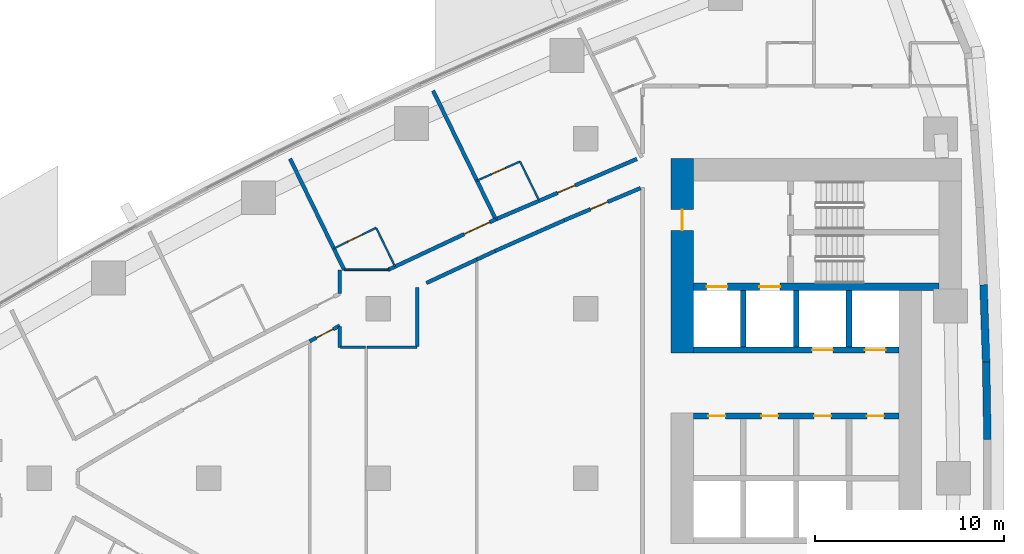
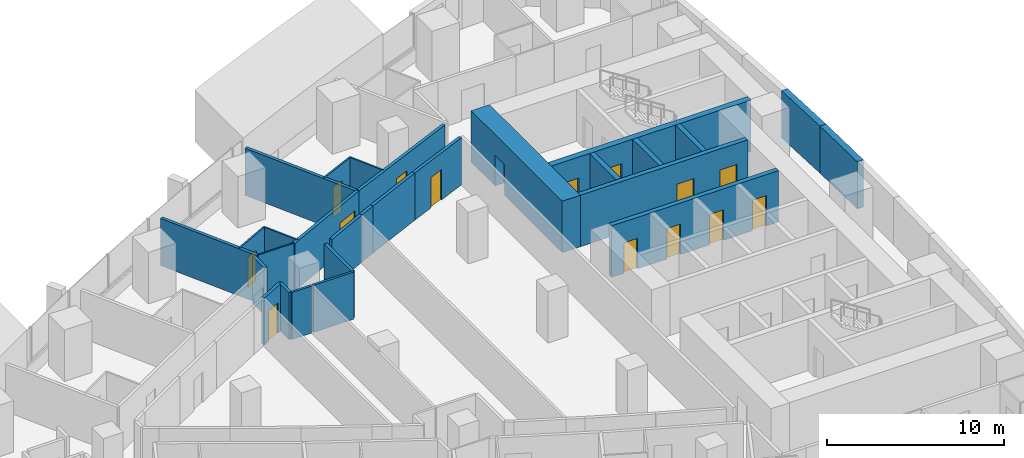
# One storey, part 12 of 19: 28 walls, 15 doors, 15 openings.
"""IFC4 building model written with IfcOpenShell, lengths in metres."""

from ifc_helpers import new_model, si_unit, direction, frame, frame_2d, origin, place, context, subcontext, project, spatial, polyline, rectangle, outline, extrude, material, layer, layer_set, type_object, element, fill, save


model = new_model("IFC4")

# Units and contexts
model_context = context("Model", 3, precision=1e-05, world=origin(), true_north=direction((0.0, 1.0)))
body_context = subcontext(model_context, "Body", "Model", "MODEL_VIEW")
ifc_project = project(units=[si_unit("LENGTHUNIT", "METRE"), si_unit("AREAUNIT", "SQUARE_METRE"), si_unit("VOLUMEUNIT", "CUBIC_METRE"), si_unit("PLANEANGLEUNIT", "RADIAN"), si_unit("MASSUNIT", "GRAM", prefix="KILO")], contexts=[model_context])

# Site, building, storey
site_placement = place(None, origin())
site = spatial("IfcSite", under=ifc_project, at=site_placement, CompositionType="ELEMENT")
building_placement = place(site_placement, origin())
building = spatial("IfcBuilding", under=site, at=building_placement, Name="Ostrand Prow Hotel Tower", CompositionType="ELEMENT")
storey_placement = place(building_placement, frame((0.0, 0.0, 50.25)))
storey = spatial("IfcBuildingStorey", under=building, at=storey_placement, Name="L10", CompositionType="ELEMENT", Elevation=50.25)

# Wall, opening, door
ifc_material_1 = material(Name="Concrete C80/95", Category="concrete")
ifc_layer_1 = layer(ifc_material_1, 1.199951171875)
ifc_layer_set_1 = layer_set([ifc_layer_1], Name="Concrete C80/95")
wall_type_1 = type_object("IfcWallType", Name="Core wall 1200 C80/95", PredefinedType="SHEAR", material=ifc_layer_set_1)
wall_1_placement = place(storey_placement, frame((50.10009765625, 6.64990234375, 0.0), z_axis=(0.0, 0.0, 1.0), x_axis=(0.0, 1.0, 0.0)))
wall_1 = element("IfcWall", 1, at=wall_1_placement, inside=storey, type_object=wall_type_1, Name="Core wall CW-W-N", PredefinedType="SHEAR", context=body_context, shape_type="SweptSolid", body=[
    extrude(rectangle(XDim=10.300048828125, YDim=1.199951171875, at=frame_2d((5.14990234375, 0.0))), origin(), (0.0, 0.0, 1.0), 3.550048828125),
])
opening_1_placement = place(wall_1_placement, frame((6.5, 0.0, 0.0)))
opening_1 = element("IfcOpeningElement", 2, at=opening_1_placement, cuts=wall_1, Name="Opening FD1", PredefinedType="OPENING", context=body_context, shape_type="SweptSolid", body=[
    extrude(rectangle(XDim=1.10009765625, YDim=2.10009765625, at=frame_2d((0.550048828125, 1.050048828125))), frame((0.0, 0.60986328125, 0.0), z_axis=(0.0, -1.0, 0.0), x_axis=(1.0, 0.0, 0.0)), (0.0, 0.0, 1.0), 1.219970703125),
])
ifc_material_2 = material(Name="Steel fire door", Category="steel")
door_type_1 = type_object("IfcDoorType", Name="Fire door 1100 EI120", OperationType="SINGLE_SWING_RIGHT", PredefinedType="DOOR", material=ifc_material_2)
door_1_placement = place(opening_1_placement, origin())
door_1 = element("IfcDoor", 3, at=door_1_placement, inside=storey, type_object=door_type_1, Name="FIRE DOOR", OperationType="SINGLE_SWING_RIGHT", OverallHeight=2.10009765625, OverallWidth=1.10009765625, PredefinedType="DOOR", context=body_context, shape_type="SweptSolid", body=[
    extrude(rectangle(XDim=1.10009765625, YDim=2.10009765625, at=frame_2d((0.550048828125, 1.050048828125))), frame((0.0, 0.02490234375, 0.0), z_axis=(0.0, -1.0, 0.0), x_axis=(1.0, 0.0, 0.0)), (0.0, 0.0, 1.0), 0.050048828125),
])
fill(opening_1, door_1)

# Wall, openings, doors
ifc_material_3 = material(Name="Concrete C80/95", Category="concrete")
ifc_layer_2 = layer(ifc_material_3, 0.300048828125)
ifc_layer_set_2 = layer_set([ifc_layer_2], Name="Concrete C80/95")
wall_type_2 = type_object("IfcWallType", Name="Core wall 300 C80/95", PredefinedType="SHEAR", material=ifc_layer_set_2)
wall_2_placement = place(storey_placement, frame((50.699951171875, 3.300048828125, 0.0), z_axis=(0.0, 0.0, 1.0), x_axis=(1.0, 0.0, 0.0)))
wall_2 = element("IfcWall", 4, at=wall_2_placement, inside=storey, type_object=wall_type_2, Name="Core wall PW-L1-N", PredefinedType="SHEAR", context=body_context, shape_type="SweptSolid", body=[
    extrude(rectangle(XDim=10.900146484375, YDim=0.300048828125, at=frame_2d((5.4501953125, 0.0))), origin(), (0.0, 0.0, 1.0), 3.550048828125),
])
opening_2_placement = place(wall_2_placement, frame((0.800048828125, 0.0, 0.0)))
opening_2 = element("IfcOpeningElement", 5, at=opening_2_placement, cuts=wall_2, Name="Opening FD2", PredefinedType="OPENING", context=body_context, shape_type="SweptSolid", body=[
    extrude(rectangle(XDim=0.89990234375, YDim=2.10009765625, at=frame_2d((0.449951171875, 1.050048828125))), frame((0.0, 0.159912109375, 0.0), z_axis=(0.0, -1.0, 0.0), x_axis=(1.0, 0.0, 0.0)), (0.0, 0.0, 1.0), 0.320068359375),
])
opening_3_placement = place(wall_2_placement, frame((3.60009765625, 0.0, 0.0)))
opening_3 = element("IfcOpeningElement", 6, at=opening_3_placement, cuts=wall_2, Name="Opening FD2", PredefinedType="OPENING", context=body_context, shape_type="SweptSolid", body=[
    extrude(rectangle(XDim=0.89990234375, YDim=2.10009765625, at=frame_2d((0.449951171875, 1.050048828125))), frame((0.0, 0.159912109375, 0.0), z_axis=(0.0, -1.0, 0.0), x_axis=(1.0, 0.0, 0.0)), (0.0, 0.0, 1.0), 0.320068359375),
])
opening_4_placement = place(wall_2_placement, frame((6.39990234375, 0.0, 0.0)))
opening_4 = element("IfcOpeningElement", 7, at=opening_4_placement, cuts=wall_2, Name="Opening FD2", PredefinedType="OPENING", context=body_context, shape_type="SweptSolid", body=[
    extrude(rectangle(XDim=0.89990234375, YDim=2.10009765625, at=frame_2d((0.449951171875, 1.050048828125))), frame((0.0, 0.159912109375, 0.0), z_axis=(0.0, -1.0, 0.0), x_axis=(1.0, 0.0, 0.0)), (0.0, 0.0, 1.0), 0.320068359375),
])
opening_5_placement = place(wall_2_placement, frame((9.199951171875, 0.0, 0.0)))
opening_5 = element("IfcOpeningElement", 8, at=opening_5_placement, cuts=wall_2, Name="Opening FD2", PredefinedType="OPENING", context=body_context, shape_type="SweptSolid", body=[
    extrude(rectangle(XDim=0.89990234375, YDim=2.10009765625, at=frame_2d((0.449951171875, 1.050048828125))), frame((0.0, 0.159912109375, 0.0), z_axis=(0.0, -1.0, 0.0), x_axis=(1.0, 0.0, 0.0)), (0.0, 0.0, 1.0), 0.320068359375),
])
ifc_material_4 = material(Name="Steel fire door", Category="steel")
door_type_2 = type_object("IfcDoorType", Name="Fire door 900 EI120", OperationType="SINGLE_SWING_LEFT", PredefinedType="DOOR", material=ifc_material_4)
door_2_placement = place(opening_2_placement, origin())
door_2 = element("IfcDoor", 9, at=door_2_placement, inside=storey, type_object=door_type_2, Name="DOOR", OperationType="SINGLE_SWING_LEFT", OverallHeight=2.10009765625, OverallWidth=0.89990234375, PredefinedType="DOOR", context=body_context, shape_type="SweptSolid", body=[
    extrude(rectangle(XDim=0.89990234375, YDim=2.10009765625, at=frame_2d((0.449951171875, 1.050048828125))), frame((0.0, 0.02490234375, 0.0), z_axis=(0.0, -1.0, 0.0), x_axis=(1.0, 0.0, 0.0)), (0.0, 0.0, 1.0), 0.050048828125),
])
fill(opening_2, door_2)
door_3_placement = place(opening_3_placement, origin())
door_3 = element("IfcDoor", 10, at=door_3_placement, inside=storey, type_object=door_type_2, Name="DOOR", OperationType="SINGLE_SWING_LEFT", OverallHeight=2.10009765625, OverallWidth=0.89990234375, PredefinedType="DOOR", context=body_context, shape_type="SweptSolid", body=[
    extrude(rectangle(XDim=0.89990234375, YDim=2.10009765625, at=frame_2d((0.449951171875, 1.050048828125))), frame((0.0, 0.02490234375, 0.0), z_axis=(0.0, -1.0, 0.0), x_axis=(1.0, 0.0, 0.0)), (0.0, 0.0, 1.0), 0.050048828125),
])
fill(opening_3, door_3)
door_4_placement = place(opening_4_placement, origin())
door_4 = element("IfcDoor", 11, at=door_4_placement, inside=storey, type_object=door_type_2, Name="DOOR", OperationType="SINGLE_SWING_LEFT", OverallHeight=2.10009765625, OverallWidth=0.89990234375, PredefinedType="DOOR", context=body_context, shape_type="SweptSolid", body=[
    extrude(rectangle(XDim=0.89990234375, YDim=2.10009765625, at=frame_2d((0.449951171875, 1.050048828125))), frame((0.0, 0.02490234375, 0.0), z_axis=(0.0, -1.0, 0.0), x_axis=(1.0, 0.0, 0.0)), (0.0, 0.0, 1.0), 0.050048828125),
])
fill(opening_4, door_4)
door_5_placement = place(opening_5_placement, origin())
door_5 = element("IfcDoor", 12, at=door_5_placement, inside=storey, type_object=door_type_2, Name="DOOR", OperationType="SINGLE_SWING_LEFT", OverallHeight=2.10009765625, OverallWidth=0.89990234375, PredefinedType="DOOR", context=body_context, shape_type="SweptSolid", body=[
    extrude(rectangle(XDim=0.89990234375, YDim=2.10009765625, at=frame_2d((0.449951171875, 1.050048828125))), frame((0.0, 0.02490234375, 0.0), z_axis=(0.0, -1.0, 0.0), x_axis=(1.0, 0.0, 0.0)), (0.0, 0.0, 1.0), 0.050048828125),
])
fill(opening_5, door_5)

wall_3_placement = place(storey_placement, frame((50.699951171875, 6.800048828125, 0.0), z_axis=(0.0, 0.0, 1.0), x_axis=(1.0, 0.0, 0.0)))
wall_3 = element("IfcWall", 13, at=wall_3_placement, inside=storey, type_object=wall_type_2, Name="Core wall PW-L2-N", PredefinedType="SHEAR", context=body_context, shape_type="SweptSolid", body=[
    extrude(rectangle(XDim=10.900146484375, YDim=0.300048828125, at=frame_2d((5.4501953125, 0.0))), origin(), (0.0, 0.0, 1.0), 3.550048828125),
])
opening_6_placement = place(wall_3_placement, frame((6.300048828125, 0.0, 0.0)))
opening_6 = element("IfcOpeningElement", 14, at=opening_6_placement, cuts=wall_3, Name="Opening LD", PredefinedType="OPENING", context=body_context, shape_type="SweptSolid", body=[
    extrude(rectangle(XDim=1.10009765625, YDim=2.10009765625, at=frame_2d((0.550048828125, 1.050048828125))), frame((0.0, 0.159912109375, 0.0), z_axis=(0.0, -1.0, 0.0), x_axis=(1.0, 0.0, 0.0)), (0.0, 0.0, 1.0), 0.320068359375),
])
opening_7_placement = place(wall_3_placement, frame((9.10009765625, 0.0, 0.0)))
opening_7 = element("IfcOpeningElement", 15, at=opening_7_placement, cuts=wall_3, Name="Opening LD", PredefinedType="OPENING", context=body_context, shape_type="SweptSolid", body=[
    extrude(rectangle(XDim=1.10009765625, YDim=2.10009765625, at=frame_2d((0.550048828125, 1.050048828125))), frame((0.0, 0.159912109375, 0.0), z_axis=(0.0, -1.0, 0.0), x_axis=(1.0, 0.0, 0.0)), (0.0, 0.0, 1.0), 0.320068359375),
])
ifc_material_5 = material(Name="Stainless steel door", Category="steel")
door_type_3 = type_object("IfcDoorType", Name="Lift landing door 1100", OperationType="DOUBLE_DOOR_SLIDING", PredefinedType="DOOR", material=ifc_material_5)
door_6_placement = place(opening_6_placement, origin())
door_6 = element("IfcDoor", 16, at=door_6_placement, inside=storey, type_object=door_type_3, Name="LIFT LANDING DOOR", OperationType="DOUBLE_DOOR_SLIDING", OverallHeight=2.10009765625, OverallWidth=1.10009765625, PredefinedType="DOOR", context=body_context, shape_type="SweptSolid", body=[
    extrude(rectangle(XDim=1.10009765625, YDim=2.10009765625, at=frame_2d((0.550048828125, 1.050048828125))), frame((0.0, 0.02490234375, 0.0), z_axis=(0.0, -1.0, 0.0), x_axis=(1.0, 0.0, 0.0)), (0.0, 0.0, 1.0), 0.050048828125),
])
fill(opening_6, door_6)
door_7_placement = place(opening_7_placement, origin())
door_7 = element("IfcDoor", 17, at=door_7_placement, inside=storey, type_object=door_type_3, Name="LIFT LANDING DOOR", OperationType="DOUBLE_DOOR_SLIDING", OverallHeight=2.10009765625, OverallWidth=1.10009765625, PredefinedType="DOOR", context=body_context, shape_type="SweptSolid", body=[
    extrude(rectangle(XDim=1.10009765625, YDim=2.10009765625, at=frame_2d((0.550048828125, 1.050048828125))), frame((0.0, 0.02490234375, 0.0), z_axis=(0.0, -1.0, 0.0), x_axis=(1.0, 0.0, 0.0)), (0.0, 0.0, 1.0), 0.050048828125),
])
fill(opening_7, door_7)

# Walls
for number, where, z_axis, x_axis, name in (
    (18, (53.35009765625, 6.949951171875, 0.0), (0.0, 0.0, 1.0), (0.0, 1.0, 0.0), "Core wall PW-R1-NA"),
    (19, (56.14990234375, 6.949951171875, 0.0), (0.0, 0.0, 1.0), (0.0, 1.0, 0.0), "Core wall PW-R2-NA"),
    (20, (58.949951171875, 6.949951171875, 0.0), (0.0, 0.0, 1.0), (0.0, 1.0, 0.0), "Core wall PW-R3-NA"),
):
    element("IfcWall", number, at=place(storey_placement, frame(where, z_axis=z_axis, x_axis=x_axis)), inside=storey, type_object=wall_type_2, Name=name, PredefinedType="SHEAR", context=body_context, shape_type="SweptSolid", body=[
        extrude(rectangle(XDim=3.0, YDim=0.300048828125, at=frame_2d((1.5, 0.0))), origin(), (0.0, 0.0, 1.0), 3.550048828125),
    ])

# Wall, openings, doors
ifc_material_6 = material(Name="Concrete C80/95", Category="concrete")
ifc_layer_3 = layer(ifc_material_6, 0.39990234375)
ifc_layer_set_3 = layer_set([ifc_layer_3], Name="Concrete C80/95")
wall_type_3 = type_object("IfcWallType", Name="Core wall 400 C80/95", PredefinedType="SHEAR", material=ifc_layer_set_3)
wall_4_placement = place(storey_placement, frame((50.699951171875, 10.14990234375, 0.0), z_axis=(0.0, 0.0, 1.0), x_axis=(1.0, 0.0, 0.0)))
wall_4 = element("IfcWall", 21, at=wall_4_placement, inside=storey, type_object=wall_type_3, Name="Core wall PW-BN", PredefinedType="SHEAR", context=body_context, shape_type="SweptSolid", body=[
    extrude(rectangle(XDim=13.02001953125, YDim=0.39990234375, at=frame_2d((6.510009765625, 0.0))), origin(), (0.0, 0.0, 1.0), 3.550048828125),
])
opening_8_placement = place(wall_4_placement, frame((0.699951171875, 0.0, 0.0)))
opening_8 = element("IfcOpeningElement", 22, at=opening_8_placement, cuts=wall_4, Name="Opening LD", PredefinedType="OPENING", context=body_context, shape_type="SweptSolid", body=[
    extrude(rectangle(XDim=1.10009765625, YDim=2.10009765625, at=frame_2d((0.550048828125, 1.050048828125))), frame((0.0, 0.2099609375, 0.0), z_axis=(0.0, -1.0, 0.0), x_axis=(1.0, 0.0, 0.0)), (0.0, 0.0, 1.0), 0.419921875),
])
opening_9_placement = place(wall_4_placement, frame((3.5, 0.0, 0.0)))
opening_9 = element("IfcOpeningElement", 23, at=opening_9_placement, cuts=wall_4, Name="Opening LD", PredefinedType="OPENING", context=body_context, shape_type="SweptSolid", body=[
    extrude(rectangle(XDim=1.10009765625, YDim=2.10009765625, at=frame_2d((0.550048828125, 1.050048828125))), frame((0.0, 0.2099609375, 0.0), z_axis=(0.0, -1.0, 0.0), x_axis=(1.0, 0.0, 0.0)), (0.0, 0.0, 1.0), 0.419921875),
])
door_8_placement = place(opening_8_placement, origin())
door_8 = element("IfcDoor", 24, at=door_8_placement, inside=storey, type_object=door_type_3, Name="LIFT LANDING DOOR", OperationType="DOUBLE_DOOR_SLIDING", OverallHeight=2.10009765625, OverallWidth=1.10009765625, PredefinedType="DOOR", context=body_context, shape_type="SweptSolid", body=[
    extrude(rectangle(XDim=1.10009765625, YDim=2.10009765625, at=frame_2d((0.550048828125, 1.050048828125))), frame((0.0, 0.02490234375, 0.0), z_axis=(0.0, -1.0, 0.0), x_axis=(1.0, 0.0, 0.0)), (0.0, 0.0, 1.0), 0.050048828125),
])
fill(opening_8, door_8)
door_9_placement = place(opening_9_placement, origin())
door_9 = element("IfcDoor", 25, at=door_9_placement, inside=storey, type_object=door_type_3, Name="LIFT LANDING DOOR", OperationType="DOUBLE_DOOR_SLIDING", OverallHeight=2.10009765625, OverallWidth=1.10009765625, PredefinedType="DOOR", context=body_context, shape_type="SweptSolid", body=[
    extrude(rectangle(XDim=1.10009765625, YDim=2.10009765625, at=frame_2d((0.550048828125, 1.050048828125))), frame((0.0, 0.02490234375, 0.0), z_axis=(0.0, -1.0, 0.0), x_axis=(1.0, 0.0, 0.0)), (0.0, 0.0, 1.0), 0.050048828125),
])
fill(opening_9, door_9)

# Wall, opening, door
ifc_material_7 = material(Name="Plasterboard partition")
ifc_layer_4 = layer(ifc_material_7, 0.10009765625)
ifc_layer_set_4 = layer_set([ifc_layer_4], Name="Plasterboard partition")
wall_type_4 = type_object("IfcWallType", Name="Partition 100 bathroom wall", PredefinedType="PARTITIONING", material=ifc_layer_set_4)
wall_5_placement = place(storey_placement, frame((31.6328125, 12.18212890625, 0.0), z_axis=(0.0, 0.0, 1.0), x_axis=(0.89845285455, 0.439070003702, 0.0)))
wall_5 = element("IfcWall", 26, at=wall_5_placement, inside=storey, type_object=wall_type_4, Name="BATHROOM WALL", PredefinedType="PARTITIONING", context=body_context, shape_type="SweptSolid", body=[
    extrude(rectangle(XDim=2.5, YDim=0.10009765625, at=frame_2d((1.25, 0.0))), origin(), (0.0, 0.0, 1.0), 3.25),
])
opening_10_placement = place(wall_5_placement, frame((0.85009765625, 0.0, 0.0)))
opening_10 = element("IfcOpeningElement", 27, at=opening_10_placement, cuts=wall_5, Name="Opening D2", PredefinedType="OPENING", context=body_context, shape_type="SweptSolid", body=[
    extrude(rectangle(XDim=0.800048828125, YDim=2.10009765625, at=frame_2d((0.39990234375, 1.050048828125))), frame((0.0, 0.06005859375, 0.0), z_axis=(0.0, -1.0, 0.0), x_axis=(1.0, 0.0, 0.0)), (0.0, 0.0, 1.0), 0.1201171875),
])
ifc_material_8 = material(Name="Timber door leaf", Category="wood")
door_type_4 = type_object("IfcDoorType", Name="Bathroom door 800", OperationType="SINGLE_SWING_LEFT", PredefinedType="DOOR", material=ifc_material_8)
door_10_placement = place(opening_10_placement, origin())
door_10 = element("IfcDoor", 28, at=door_10_placement, inside=storey, type_object=door_type_4, Name="DOOR", OperationType="SINGLE_SWING_LEFT", OverallHeight=2.10009765625, OverallWidth=0.800048828125, PredefinedType="DOOR", context=body_context, shape_type="SweptSolid", body=[
    extrude(rectangle(XDim=0.800048828125, YDim=2.10009765625, at=frame_2d((0.39990234375, 1.050048828125))), frame((0.0, 0.02490234375, 0.0), z_axis=(0.0, -1.0, 0.0), x_axis=(1.0, 0.0, 0.0)), (0.0, 0.0, 1.0), 0.050048828125),
])
fill(opening_10, door_10)

# Wall
wall_6_placement = place(storey_placement, frame((33.87890625, 13.27978515625, 0.0), z_axis=(0.0, 0.0, 1.0), x_axis=(0.438227154656, -0.898864261678, 0.0)))
element("IfcWall", 29, at=wall_6_placement, inside=storey, type_object=wall_type_4, Name="BATHROOM WALL", PredefinedType="PARTITIONING", context=body_context, shape_type="SweptSolid", body=[
    extrude(rectangle(XDim=2.27685546875, YDim=0.10009765625, at=frame_2d((1.138427734375, 0.0))), origin(), (0.0, 0.0, 1.0), 3.25),
])

# Wall, opening, door
wall_7_placement = place(storey_placement, frame((39.223388671875, 15.781005859375, 0.0), z_axis=(0.0, 0.0, 1.0), x_axis=(0.914000607553, 0.405712816401, 0.0)))
wall_7 = element("IfcWall", 30, at=wall_7_placement, inside=storey, type_object=wall_type_4, Name="BATHROOM WALL", PredefinedType="PARTITIONING", context=body_context, shape_type="SweptSolid", body=[
    extrude(rectangle(XDim=2.50146484375, YDim=0.10009765625, at=frame_2d((1.250732421875, 0.0))), origin(), (0.0, 0.0, 1.0), 3.25),
])
opening_11_placement = place(wall_7_placement, frame((0.85009765625, 0.0, 0.0)))
opening_11 = element("IfcOpeningElement", 31, at=opening_11_placement, cuts=wall_7, Name="Opening D2", PredefinedType="OPENING", context=body_context, shape_type="SweptSolid", body=[
    extrude(rectangle(XDim=0.800048828125, YDim=2.10009765625, at=frame_2d((0.39990234375, 1.050048828125))), frame((0.0, 0.06005859375, 0.0), z_axis=(0.0, -1.0, 0.0), x_axis=(1.0, 0.0, 0.0)), (0.0, 0.0, 1.0), 0.1201171875),
])
door_11_placement = place(opening_11_placement, origin())
door_11 = element("IfcDoor", 32, at=door_11_placement, inside=storey, type_object=door_type_4, Name="DOOR", OperationType="SINGLE_SWING_LEFT", OverallHeight=2.10009765625, OverallWidth=0.800048828125, PredefinedType="DOOR", context=body_context, shape_type="SweptSolid", body=[
    extrude(rectangle(XDim=0.800048828125, YDim=2.10009765625, at=frame_2d((0.39990234375, 1.050048828125))), frame((0.0, 0.02490234375, 0.0), z_axis=(0.0, -1.0, 0.0), x_axis=(1.0, 0.0, 0.0)), (0.0, 0.0, 1.0), 0.050048828125),
])
fill(opening_11, door_11)

# Walls
wall_8_placement = place(storey_placement, frame((41.510009765625, 16.7958984375, 0.0), z_axis=(0.0, 0.0, 1.0), x_axis=(0.4381470535, -0.898903309321, 0.0)))
element("IfcWall", 33, at=wall_8_placement, inside=storey, type_object=wall_type_4, Name="BATHROOM WALL", PredefinedType="PARTITIONING", context=body_context, shape_type="SweptSolid", body=[
    extrude(rectangle(XDim=2.2783203125, YDim=0.10009765625, at=frame_2d((1.13916015625, 0.0))), origin(), (0.0, 0.0, 1.0), 3.25),
])
wall_9_placement = place(storey_placement, frame((34.55322265625, 11.054931640625, 0.0), z_axis=(0.0, 0.0, 1.0), x_axis=(-1.0, 0.0, 0.0)))
element("IfcWall", 34, at=wall_9_placement, inside=storey, type_object=wall_type_4, Name="BATHROOM WALL", PredefinedType="PARTITIONING", context=body_context, shape_type="SweptSolid", body=[
    extrude(rectangle(XDim=2.370849609375, YDim=0.10009765625, at=frame_2d((1.185546875, 0.0))), origin(), (0.0, 0.0, 1.0), 3.25),
])
ifc_material_9 = material(Name="Plasterboard partition")
ifc_layer_5 = layer(ifc_material_9, 0.14990234375)
ifc_layer_set_5 = layer_set([ifc_layer_5], Name="Plasterboard partition")
wall_type_5 = type_object("IfcWallType", Name="Partition 150 room partition", PredefinedType="PARTITIONING", material=ifc_layer_set_5)
wall_10_placement = place(storey_placement, frame((31.98681640625, 6.946044921875, 0.0), z_axis=(0.0, 0.0, 1.0), x_axis=(0.999999728974, -0.000736241288, 0.0)))
element("IfcWall", 35, at=wall_10_placement, inside=storey, type_object=wall_type_5, Name="ROOM PARTITION", PredefinedType="PARTITIONING", context=body_context, shape_type="SweptSolid", body=[
    extrude(rectangle(XDim=1.326416015625, YDim=0.14990234375, at=frame_2d((0.6630859375, 0.0))), origin(), (0.0, 0.0, 1.0), 3.25),
])
wall_11_placement = place(storey_placement, frame((33.393310546875, 6.945068359375, 0.0), z_axis=(0.0, 0.0, 1.0), x_axis=(0.999999932604, 0.000367140866, 0.0)))
element("IfcWall", 36, at=wall_11_placement, inside=storey, type_object=wall_type_5, Name="ROOM PARTITION", PredefinedType="PARTITIONING", context=body_context, shape_type="SweptSolid", body=[
    extrude(rectangle(XDim=2.659912109375, YDim=0.14990234375, at=frame_2d((1.330078125, 0.0))), origin(), (0.0, 0.0, 1.0), 3.25),
])

# Wall, opening, door
ifc_material_10 = material(Name="Plasterboard partition")
ifc_layer_6 = layer(ifc_material_10, 0.199951171875)
ifc_layer_set_6 = layer_set([ifc_layer_6], Name="Plasterboard partition")
wall_type_6 = type_object("IfcWallType", Name="Partition 200 corridor wall", PredefinedType="PARTITIONING", material=ifc_layer_set_6)
wall_12_placement = place(storey_placement, frame((40.22314453125, 13.730224609375, 0.0), z_axis=(0.0, 0.0, 1.0), x_axis=(-0.905363217407, -0.424638015923, 0.0)))
wall_12 = element("IfcWall", 37, at=wall_12_placement, inside=storey, type_object=wall_type_6, Name="CORRIDOR WALL", PredefinedType="PARTITIONING", context=body_context, shape_type="SweptSolid", body=[
    extrude(rectangle(XDim=6.311767578125, YDim=0.199951171875, at=frame_2d((3.15576171875, 0.0))), origin(), (0.0, 0.0, 1.0), 3.25),
])
opening_12_placement = place(wall_12_placement, frame((0.35009765625, 0.0, 0.0)))
opening_12 = element("IfcOpeningElement", 38, at=opening_12_placement, cuts=wall_12, Name="Opening D15", PredefinedType="OPENING", context=body_context, shape_type="SweptSolid", body=[
    extrude(rectangle(XDim=1.5, YDim=2.10009765625, at=frame_2d((0.75, 1.050048828125))), frame((0.0, 0.10986328125, 0.0), z_axis=(0.0, -1.0, 0.0), x_axis=(1.0, 0.0, 0.0)), (0.0, 0.0, 1.0), 0.219970703125),
])
ifc_material_11 = material(Name="Timber door leaf", Category="wood")
door_type_5 = type_object("IfcDoorType", Name="Double door 1500", OperationType="DOUBLE_DOOR_SINGLE_SWING", PredefinedType="DOOR", material=ifc_material_11)
door_12_placement = place(opening_12_placement, origin())
door_12 = element("IfcDoor", 39, at=door_12_placement, inside=storey, type_object=door_type_5, Name="DOOR", OperationType="DOUBLE_DOOR_SINGLE_SWING", OverallHeight=2.10009765625, OverallWidth=1.5, PredefinedType="DOOR", context=body_context, shape_type="SweptSolid", body=[
    extrude(rectangle(XDim=1.5, YDim=2.10009765625, at=frame_2d((0.75, 1.050048828125))), frame((0.0, 0.02490234375, 0.0), z_axis=(0.0, -1.0, 0.0), x_axis=(1.0, 0.0, 0.0)), (0.0, 0.0, 1.0), 0.050048828125),
])
fill(opening_12, door_12)

wall_13_placement = place(storey_placement, frame((30.353271484375, 7.267578125, 0.0), z_axis=(0.0, 0.0, 1.0), x_axis=(0.890195531144, 0.455578660969, 0.0)))
wall_13 = element("IfcWall", 40, at=wall_13_placement, inside=storey, type_object=wall_type_6, Name="CORRIDOR WALL", PredefinedType="PARTITIONING", context=body_context, shape_type="SweptSolid", body=[
    extrude(rectangle(XDim=1.793701171875, YDim=0.199951171875, at=frame_2d((0.89697265625, 0.0))), origin(), (0.0, 0.0, 1.0), 3.25),
])
opening_13_placement = place(wall_13_placement, frame((0.39697265625, 0.0, 0.0)))
opening_13 = element("IfcOpeningElement", 41, at=opening_13_placement, cuts=wall_13, Name="Opening D1", PredefinedType="OPENING", context=body_context, shape_type="SweptSolid", body=[
    extrude(rectangle(XDim=1.0, YDim=2.10009765625, at=frame_2d((0.5, 1.050048828125))), frame((0.0, 0.10986328125, 0.0), z_axis=(0.0, -1.0, 0.0), x_axis=(1.0, 0.0, 0.0)), (0.0, 0.0, 1.0), 0.219970703125),
])
ifc_material_12 = material(Name="Timber door leaf", Category="wood")
door_type_6 = type_object("IfcDoorType", Name="Guest room door 1000", OperationType="SINGLE_SWING_LEFT", PredefinedType="DOOR", material=ifc_material_12)
door_13_placement = place(opening_13_placement, origin())
door_13 = element("IfcDoor", 42, at=door_13_placement, inside=storey, type_object=door_type_6, Name="DOOR", OperationType="SINGLE_SWING_LEFT", OverallHeight=2.10009765625, OverallWidth=1.0, PredefinedType="DOOR", context=body_context, shape_type="SweptSolid", body=[
    extrude(rectangle(XDim=1.0, YDim=2.10009765625, at=frame_2d((0.5, 1.050048828125))), frame((0.0, 0.02490234375, 0.0), z_axis=(0.0, -1.0, 0.0), x_axis=(1.0, 0.0, 0.0)), (0.0, 0.0, 1.0), 0.050048828125),
])
fill(opening_13, door_13)

# Wall
wall_14_placement = place(storey_placement, frame((36.5400390625, 10.35107421875, 0.0), z_axis=(0.0, 0.0, 1.0), x_axis=(0.906348100281, 0.422531798943, 0.0)))
element("IfcWall", 43, at=wall_14_placement, inside=storey, type_object=wall_type_6, Name="CORRIDOR WALL", PredefinedType="PARTITIONING", context=body_context, shape_type="SweptSolid", body=[
    extrude(rectangle(XDim=2.947998046875, YDim=0.199951171875, at=frame_2d((1.47412109375, 0.0))), origin(), (0.0, 0.0, 1.0), 3.25),
])

# Wall, opening, door
wall_15_placement = place(storey_placement, frame((43.85009765625, 13.67724609375, 0.0), z_axis=(0.0, 0.0, 1.0), x_axis=(0.921265924084, 0.388933281068, 0.0)))
wall_15 = element("IfcWall", 44, at=wall_15_placement, inside=storey, type_object=wall_type_6, Name="CORRIDOR WALL", PredefinedType="PARTITIONING", context=body_context, shape_type="SweptSolid", body=[
    extrude(rectangle(XDim=4.39599609375, YDim=0.199951171875, at=frame_2d((2.197998046875, 0.0))), origin(), (0.0, 0.0, 1.0), 3.25),
])
opening_14_placement = place(wall_15_placement, frame((1.5078125, 0.0, 0.0)))
opening_14 = element("IfcOpeningElement", 45, at=opening_14_placement, cuts=wall_15, Name="Opening D1", PredefinedType="OPENING", context=body_context, shape_type="SweptSolid", body=[
    extrude(rectangle(XDim=1.0, YDim=2.10009765625, at=frame_2d((0.5, 1.050048828125))), frame((0.0, 0.10986328125, 0.0), z_axis=(0.0, -1.0, 0.0), x_axis=(1.0, 0.0, 0.0)), (0.0, 0.0, 1.0), 0.219970703125),
])
door_14_placement = place(opening_14_placement, origin())
door_14 = element("IfcDoor", 46, at=door_14_placement, inside=storey, type_object=door_type_6, Name="DOOR", OperationType="SINGLE_SWING_LEFT", OverallHeight=2.10009765625, OverallWidth=1.0, PredefinedType="DOOR", context=body_context, shape_type="SweptSolid", body=[
    extrude(rectangle(XDim=1.0, YDim=2.10009765625, at=frame_2d((0.5, 1.050048828125))), frame((0.0, 0.02490234375, 0.0), z_axis=(0.0, -1.0, 0.0), x_axis=(1.0, 0.0, 0.0)), (0.0, 0.0, 1.0), 0.050048828125),
])
fill(opening_14, door_14)

# Walls
wall_16_placement = place(storey_placement, frame((40.1796875, 12.0478515625, 0.0), z_axis=(0.0, 0.0, 1.0), x_axis=(0.913986953061, 0.405743576209, 0.0)))
element("IfcWall", 47, at=wall_16_placement, inside=storey, type_object=wall_type_6, Name="CORRIDOR WALL", PredefinedType="PARTITIONING", context=body_context, shape_type="SweptSolid", body=[
    extrude(rectangle(XDim=4.015869140625, YDim=0.199951171875, at=frame_2d((2.0078125, 0.0))), origin(), (0.0, 0.0, 1.0), 3.25),
])
wall_17_placement = place(storey_placement, frame((39.2119140625, 11.5966796875, 0.0), z_axis=(0.0, 0.0, 1.0), x_axis=(0.906346628109, 0.422534956797, 0.0)))
element("IfcWall", 48, at=wall_17_placement, inside=storey, type_object=wall_type_6, Name="CORRIDOR WALL", PredefinedType="PARTITIONING", context=body_context, shape_type="SweptSolid", body=[
    extrude(rectangle(XDim=1.06787109375, YDim=0.199951171875, at=frame_2d((0.533935546875, 0.0))), origin(), (0.0, 0.0, 1.0), 3.25),
])

# Wall, opening, door
wall_18_placement = place(storey_placement, frame((47.703857421875, 16.931396484375, 0.0), z_axis=(0.0, 0.0, 1.0), x_axis=(-0.919360612497, -0.39341589214, 0.0)))
wall_18 = element("IfcWall", 49, at=wall_18_placement, inside=storey, type_object=wall_type_6, Name="CORRIDOR WALL", PredefinedType="PARTITIONING", context=body_context, shape_type="SweptSolid", body=[
    extrude(rectangle(XDim=8.136962890625, YDim=0.199951171875, at=frame_2d((4.068359375, 0.0))), origin(), (0.0, 0.0, 1.0), 3.25),
])
opening_15_placement = place(wall_18_placement, frame((3.568115234375, 0.0, 0.0)))
opening_15 = element("IfcOpeningElement", 50, at=opening_15_placement, cuts=wall_18, Name="Opening D1", PredefinedType="OPENING", context=body_context, shape_type="SweptSolid", body=[
    extrude(rectangle(XDim=1.0, YDim=2.10009765625, at=frame_2d((0.5, 1.050048828125))), frame((0.0, 0.10986328125, 0.0), z_axis=(0.0, -1.0, 0.0), x_axis=(1.0, 0.0, 0.0)), (0.0, 0.0, 1.0), 0.219970703125),
])
door_15_placement = place(opening_15_placement, origin())
door_15 = element("IfcDoor", 51, at=door_15_placement, inside=storey, type_object=door_type_6, Name="DOOR", OperationType="SINGLE_SWING_LEFT", OverallHeight=2.10009765625, OverallWidth=1.0, PredefinedType="DOOR", context=body_context, shape_type="SweptSolid", body=[
    extrude(rectangle(XDim=1.0, YDim=2.10009765625, at=frame_2d((0.5, 1.050048828125))), frame((0.0, 0.02490234375, 0.0), z_axis=(0.0, -1.0, 0.0), x_axis=(1.0, 0.0, 0.0)), (0.0, 0.0, 1.0), 0.050048828125),
])
fill(opening_15, door_15)

# Walls
wall_19_placement = place(storey_placement, frame((31.945068359375, 8.037353515625, 0.0), z_axis=(0.0, 0.0, 1.0), x_axis=(0.001565993606, -0.999998773831, 0.0)))
element("IfcWall", 52, at=wall_19_placement, inside=storey, type_object=wall_type_6, Name="CORRIDOR WALL", PredefinedType="PARTITIONING", context=body_context, shape_type="SweptSolid", body=[
    extrude(rectangle(XDim=1.09130859375, YDim=0.199951171875, at=frame_2d((0.545654296875, 0.0))), origin(), (0.0, 0.0, 1.0), 3.25),
])
wall_20_placement = place(storey_placement, frame((36.05322265625, 6.986083984375, 0.0), z_axis=(0.0, 0.0, 1.0), x_axis=(0.000547345293, 0.999999850207, 0.0)))
element("IfcWall", 53, at=wall_20_placement, inside=storey, type_object=wall_type_6, Name="CORRIDOR WALL", PredefinedType="PARTITIONING", context=body_context, shape_type="SweptSolid", body=[
    extrude(rectangle(XDim=3.122314453125, YDim=0.199951171875, at=frame_2d((1.56103515625, 0.0))), origin(), (0.0, 0.0, 1.0), 3.25),
])
wall_21_placement = place(storey_placement, frame((31.945068359375, 11.051025390625, 0.0), z_axis=(0.0, 0.0, 1.0), x_axis=(0.00387969922, -0.999992473939, 0.0)))
element("IfcWall", 54, at=wall_21_placement, inside=storey, type_object=wall_type_6, Name="CORRIDOR WALL", PredefinedType="PARTITIONING", context=body_context, shape_type="SweptSolid", body=[
    extrude(rectangle(XDim=1.258544921875, YDim=0.199951171875, at=frame_2d((0.62939453125, 0.0))), origin(), (0.0, 0.0, 1.0), 3.25),
])
ifc_material_13 = material(Name="Plasterboard partition")
ifc_layer_7 = layer(ifc_material_13, 0.199951171875)
ifc_layer_set_7 = layer_set([ifc_layer_7], Name="Plasterboard partition")
wall_type_7 = type_object("IfcWallType", Name="Partition 200 key partition", PredefinedType="PARTITIONING", material=ifc_layer_set_7)
wall_22_placement = place(storey_placement, frame((32.184814453125, 11.050048828125, 0.0), z_axis=(0.0, 0.0, 1.0), x_axis=(-0.438228560869, 0.898863576099, 0.0)))
element("IfcWall", 55, at=wall_22_placement, inside=storey, type_object=wall_type_7, Name="KEY PARTITION", PredefinedType="PARTITIONING", context=body_context, shape_type="SweptSolid", body=[
    extrude(rectangle(XDim=6.559326171875, YDim=0.199951171875, at=frame_2d((3.27978515625, 0.0))), origin(), (0.0, 0.0, 1.0), 3.25),
])
wall_23_placement = place(storey_placement, frame((40.23193359375, 13.712158203125, 0.0), z_axis=(0.0, 0.0, 1.0), x_axis=(-0.438202247191, 0.898876404494, 0.0)))
element("IfcWall", 56, at=wall_23_placement, inside=storey, type_object=wall_type_7, Name="KEY PARTITION", PredefinedType="PARTITIONING", context=body_context, shape_type="SweptSolid", body=[
    extrude(rectangle(XDim=7.60498046875, YDim=0.199951171875, at=frame_2d((3.802490234375, 0.0))), origin(), (0.0, 0.0, 1.0), 3.25),
])
ifc_material_14 = material(Name="Precast concrete C40/50", Category="concrete")
ifc_layer_8 = layer(ifc_material_14, 0.39990234375)
ifc_layer_set_8 = layer_set([ifc_layer_8], Name="Precast concrete C40/50")
wall_type_8 = type_object("IfcWallType", Name="Stone-faced precast wall 400 mm", PredefinedType="NOTDEFINED", material=ifc_layer_set_8)
for number, where, z_axis, x_axis, name in (
    (57, (66.29150390625, 2.052490234375, 0.0), (0.0, 0.0, 1.0), (-0.016830829972, 0.999858351549, 0.0), "Stone-faced wall back 11"),
    (58, (66.222412109375, 6.156982421875, 0.0), (0.0, 0.0, 1.0), (-0.033542554696, 0.999437290191, 0.0), "Stone-faced wall back 12"),
):
    element("IfcWall", number, at=place(storey_placement, frame(where, z_axis=z_axis, x_axis=x_axis)), inside=storey, type_object=wall_type_8, Name=name, PredefinedType="NOTDEFINED", context=body_context, shape_type="SweptSolid", body=[
        extrude(outline(polyline([(-0.001708984375, -0.199951171875), (4.106689453125, -0.199951171875), (4.103271484375, 0.199951171875), (0.001708984375, 0.199951171875), (-0.001708984375, -0.199951171875)])), origin(), (0.0, 0.0, 1.0), 3.25),
    ])

save(model, "model.ifc")
